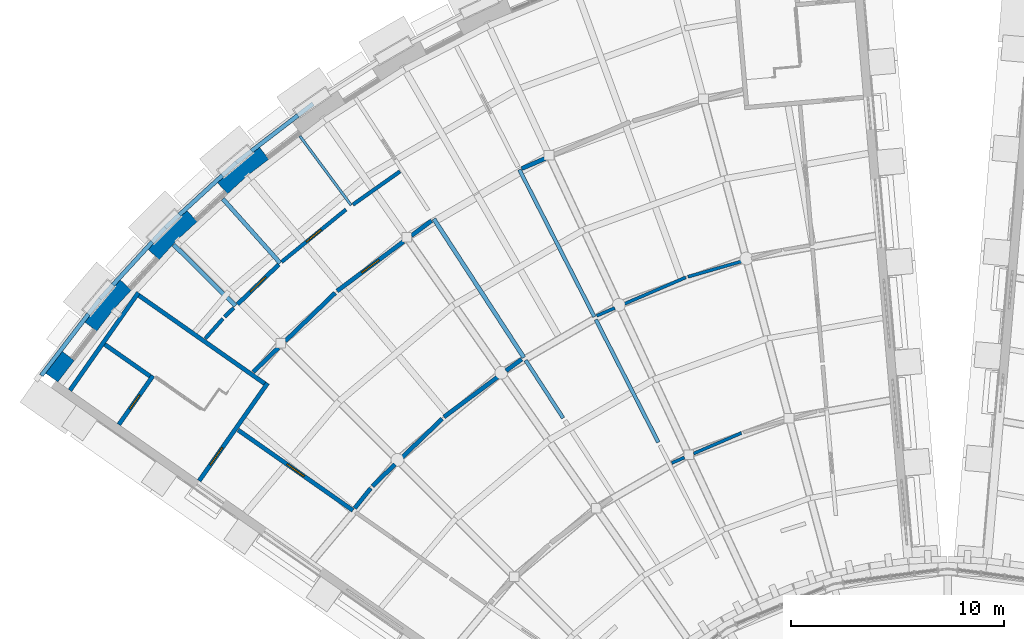
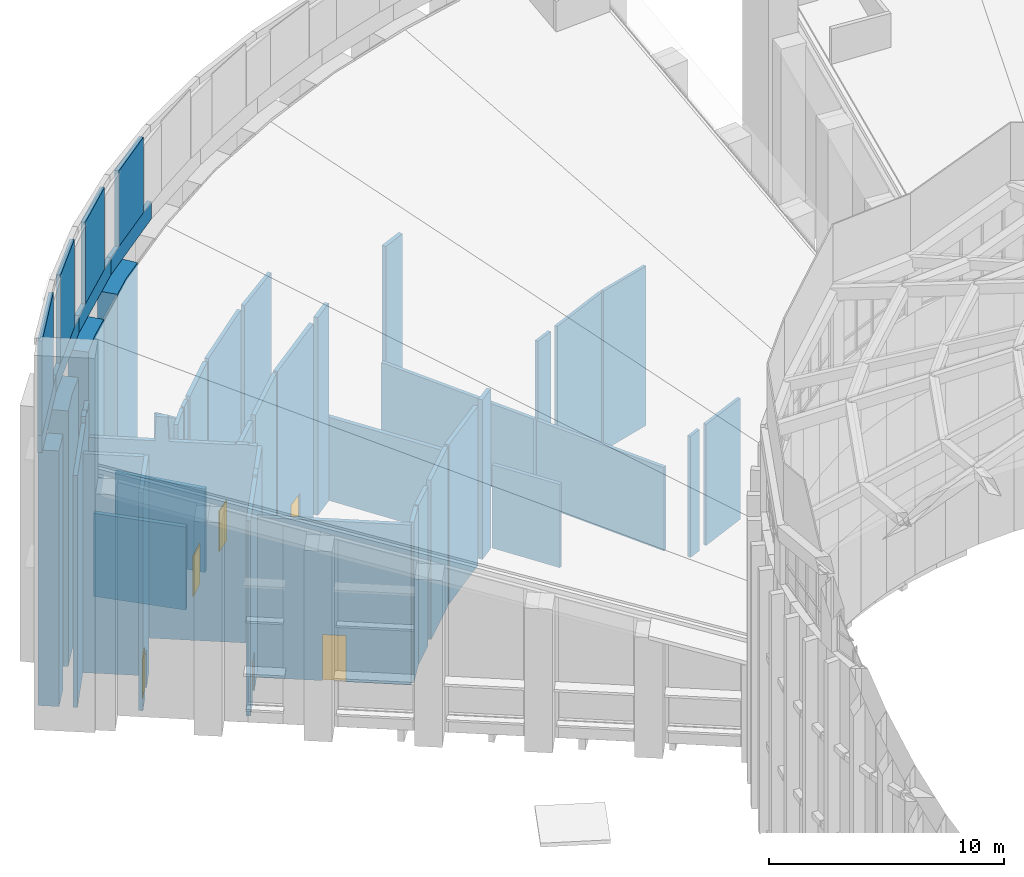
# One storey, part 58 of 82: 45 walls, 6 doors, 6 openings.
"""IFC4 building model written with IfcOpenShell, lengths in metres."""

from ifc_helpers import new_model, si_unit, direction, frame, frame_2d, origin, place, context, subcontext, project, spatial, polyline, rectangle, outline, extrude, material, layer, layer_set, type_object, element, fill, save


model = new_model("IFC4")

# Units and contexts
model_context = context("Model", 3, precision=1e-05, world=origin(), true_north=direction((0.0, 1.0)))
body_context = subcontext(model_context, "Body", "Model", "MODEL_VIEW")
ifc_project = project(units=[si_unit("LENGTHUNIT", "METRE"), si_unit("AREAUNIT", "SQUARE_METRE"), si_unit("VOLUMEUNIT", "CUBIC_METRE"), si_unit("PLANEANGLEUNIT", "RADIAN"), si_unit("MASSUNIT", "GRAM", prefix="KILO")], contexts=[model_context])

# Site, building, storey
site_placement = place(None, origin())
site = spatial("IfcSite", under=ifc_project, at=site_placement, CompositionType="ELEMENT")
building_placement = place(site_placement, origin())
building = spatial("IfcBuilding", under=site, at=building_placement, Name="Volute Hill Aquarium", CompositionType="ELEMENT")
storey_placement = place(building_placement, frame((0.0, 0.0, 13.800048828125)))
storey = spatial("IfcBuildingStorey", under=building, at=storey_placement, Name="L04", CompositionType="ELEMENT", Elevation=13.800048828125)

# Walls
ifc_material_1 = material(Name="Gypsum board on steel studs", Category="steel")
ifc_layer_1 = layer(ifc_material_1, 0.14990234375)
ifc_layer_set_1 = layer_set([ifc_layer_1], Name="Acoustic partition 150")
wall_type_1 = type_object("IfcWallType", Name="Acoustic partition 150", PredefinedType="PARTITIONING", material=ifc_layer_set_1)
wall_1_placement = place(storey_placement, frame((-15.188720703125, 33.117919921875, 0.0), z_axis=(0.0, 0.0, 1.0), x_axis=(0.918224420865, 0.396060491501, 0.0)))
element("IfcWall", 1, at=wall_1_placement, inside=storey, type_object=wall_type_1, Name="pw/S6/L04/026", PredefinedType="PARTITIONING", context=body_context, shape_type="SweptSolid", body=[
    extrude(rectangle(XDim=3.16357421875, YDim=0.14990234375, at=frame_2d((1.581787109375, 0.0))), origin(), (0.0, 0.0, 1.0), 8.294677734375),
])
wall_2_placement = place(storey_placement, frame((-12.18310546875, 34.399658203125, 0.0), z_axis=(0.0, 0.0, 1.0), x_axis=(0.961254429674, 0.275662695033, 0.0)))
element("IfcWall", 2, at=wall_2_placement, inside=storey, type_object=wall_type_1, Name="pw/S6/L04/028", PredefinedType="PARTITIONING", context=body_context, shape_type="SweptSolid", body=[
    extrude(rectangle(XDim=2.636474609375, YDim=0.14990234375, at=frame_2d((1.318359375, 0.0))), origin(), (0.0, 0.0, 1.0), 8.29296875),
])
wall_3_placement = place(storey_placement, frame((-11.915771484375, 26.106689453125, 0.0), z_axis=(0.0, 0.0, 1.0), x_axis=(0.918205503365, 0.396104346847, 0.0)))
element("IfcWall", 3, at=wall_3_placement, inside=storey, type_object=wall_type_1, Name="pw/S6/L04/031", PredefinedType="PARTITIONING", context=body_context, shape_type="SweptSolid", body=[
    extrude(rectangle(XDim=2.439453125, YDim=0.14990234375, at=frame_2d((1.2197265625, 0.0))), origin(), (0.0, 0.0, 1.0), 6.3056640625),
])
wall_4_placement = place(storey_placement, frame((-16.462646484375, 32.568359375, 0.0), z_axis=(0.0, 0.0, 1.0), x_axis=(0.918198003285, 0.396121732253, 0.0)))
element("IfcWall", 4, at=wall_4_placement, inside=storey, type_object=wall_type_1, Name="pw/S6/L04/051", PredefinedType="PARTITIONING", context=body_context, shape_type="SweptSolid", body=[
    extrude(rectangle(XDim=0.922607421875, YDim=0.14990234375, at=frame_2d((0.46142578125, 0.0))), origin(), (0.0, 0.0, 1.0), 8.29833984375),
])
wall_5_placement = place(storey_placement, frame((-12.9443359375, 25.6630859375, 0.0), z_axis=(0.0, 0.0, 1.0), x_axis=(0.918326442211, 0.395823881968, 0.0)))
element("IfcWall", 5, at=wall_5_placement, inside=storey, type_object=wall_type_1, Name="pw/S6/L04/054", PredefinedType="PARTITIONING", context=body_context, shape_type="SweptSolid", body=[
    extrude(rectangle(XDim=0.6494140625, YDim=0.14990234375, at=frame_2d((0.32470703125, 0.0))), origin(), (0.0, 0.0, 1.0), 6.309326171875),
])

# Wall, opening, door
ifc_material_2 = material(Name="Concrete C30/37", Category="concrete")
ifc_layer_2 = layer(ifc_material_2, 0.199951171875)
ifc_layer_set_2 = layer_set([ifc_layer_2], Name="Core wall 200 REI 60")
wall_type_2 = type_object("IfcWallType", Name="Core wall 200 REI 60", PredefinedType="SHEAR", material=ifc_layer_set_2)
wall_6_placement = place(storey_placement, frame((-35.10888671875, 24.82763671875, 0.0), z_axis=(0.0, 0.0, 1.0), x_axis=(0.573599855614, 0.819135645446, 0.0)))
wall_6 = element("IfcWall", 6, at=wall_6_placement, inside=storey, type_object=wall_type_2, Name="wc/S6-B/L04/in", PredefinedType="SHEAR", context=body_context, shape_type="SweptSolid", body=[
    extrude(outline(polyline([(0.0, 0.0), (5.60009765625, 0.0), (5.60009765625, 10.161376953125), (3.853271484375, 10.161376953125), (3.80322265625, 10.239990234375), (3.30322265625, 10.239990234375), (3.25341796875, 10.161376953125), (0.0, 10.161376953125), (0.0, 0.0)])), frame((0.0, 0.10009765625, 0.0), z_axis=(0.0, -1.0, 0.0), x_axis=(1.0, 0.0, 0.0)), (0.0, 0.0, 1.0), 0.199951171875),
])
opening_1_placement = place(wall_6_placement, frame((0.89990234375, 0.0, 0.0)))
opening_1 = element("IfcOpeningElement", 7, at=opening_1_placement, cuts=wall_6, Name="Opening D6.04.BS", PredefinedType="OPENING", context=body_context, shape_type="SweptSolid", body=[
    extrude(rectangle(XDim=1.0, YDim=2.10009765625, at=frame_2d((0.5, 1.050048828125))), frame((0.0, 0.10986328125, 0.0), z_axis=(0.0, -1.0, 0.0), x_axis=(1.0, 0.0, 0.0)), (0.0, 0.0, 1.0), 0.219970703125),
])
ifc_material_3 = material(Name="Timber, fire-rated", Category="wood")
door_type_1 = type_object("IfcDoorType", Name="Door 1000 x 2100 single EI1 30", OperationType="SINGLE_SWING_LEFT", PredefinedType="DOOR", material=ifc_material_3)
door_1_placement = place(opening_1_placement, origin())
door_1 = element("IfcDoor", 8, at=door_1_placement, inside=storey, type_object=door_type_1, Name="d/S6-B/L04/st", OperationType="SINGLE_SWING_RIGHT", OverallHeight=2.10009765625, OverallWidth=1.0, PredefinedType="DOOR", context=body_context, shape_type="SweptSolid", body=[
    extrude(rectangle(XDim=1.0, YDim=2.10009765625, at=frame_2d((0.5, 1.050048828125))), frame((0.0, 0.02490234375, 0.0), z_axis=(0.0, -1.0, 0.0), x_axis=(1.0, 0.0, 0.0)), (0.0, 0.0, 1.0), 0.050048828125),
])
fill(opening_1, door_1)

# Walls
wall_7_placement = place(storey_placement, frame((-32.0361328125, 29.390380859375, 0.0), z_axis=(0.0, 0.0, 1.0), x_axis=(-0.819161821637, 0.573562472597, 0.0)))
element("IfcWall", 9, at=wall_7_placement, inside=storey, type_object=wall_type_2, Name="wc/S6-B/L04/side", PredefinedType="SHEAR", context=body_context, shape_type="SweptSolid", body=[
    extrude(outline(polyline([(0.0, 0.0), (7.199951171875, 0.0), (7.199951171875, 10.283447265625), (4.36767578125, 10.283447265625), (4.317626953125, 11.549560546875), (3.817626953125, 11.549560546875), (3.767578125, 10.283447265625), (0.942626953125, 10.283447265625), (0.892578125, 10.31884765625), (0.392578125, 10.31884765625), (0.342529296875, 10.283447265625), (0.0, 10.283447265625), (0.0, 0.0)])), frame((0.0, 0.10009765625, 0.0), z_axis=(0.0, -1.0, 0.0), x_axis=(1.0, 0.0, 0.0)), (0.0, 0.0, 1.0), 0.199951171875),
])
wall_8_placement = place(storey_placement, frame((-41.17041015625, 29.072021484375, 0.0), z_axis=(0.0, 0.0, 1.0), x_axis=(0.573570601961, 0.819156129542, 0.0)))
element("IfcWall", 10, at=wall_8_placement, inside=storey, type_object=wall_type_2, Name="wc/S6-B/L04/out", PredefinedType="SHEAR", context=body_context, shape_type="SweptSolid", body=[
    extrude(outline(polyline([(0.0, 0.0), (5.599853515625, 0.0), (5.599853515625, 12.06396484375), (4.51806640625, 12.06396484375), (4.468017578125, 12.363525390625), (3.968017578125, 12.363525390625), (3.918212890625, 12.06396484375), (0.0, 12.06396484375), (0.0, 0.0)])), frame((0.0, 0.10009765625, 0.0), z_axis=(0.0, -1.0, 0.0), x_axis=(1.0, 0.0, 0.0)), (0.0, 0.0, 1.0), 0.199951171875),
])
ifc_material_4 = material(Name="Gypsum board on steel studs", Category="steel")
ifc_layer_3 = layer(ifc_material_4, 0.175048828125)
ifc_layer_set_3 = layer_set([ifc_layer_3], Name="Corridor partition 175 EI 60")
wall_type_3 = type_object("IfcWallType", Name="Corridor partition 175 EI 60", PredefinedType="PARTITIONING", material=ifc_layer_set_3)
wall_9_placement = place(storey_placement, frame((-20.089111328125, 39.427001953125, 0.0), z_axis=(0.0, 0.0, 1.0), x_axis=(0.454005059644, -0.890999105397, 0.0)))
element("IfcWall", 11, at=wall_9_placement, inside=storey, type_object=wall_type_3, Name="pw/S6/L04/003", PredefinedType="PARTITIONING", context=body_context, shape_type="SweptSolid", body=[
    extrude(rectangle(XDim=7.75, YDim=0.175048828125, at=frame_2d((3.875, 0.0))), origin(), (0.0, 0.0, 1.0), 4.3349609375),
])
wall_10_placement = place(storey_placement, frame((-13.56884765625, 26.630615234375, 0.0), z_axis=(0.0, 0.0, 1.0), x_axis=(-0.454031618181, 0.890985572101, 0.0)))
element("IfcWall", 12, at=wall_10_placement, inside=storey, type_object=wall_type_3, Name="pw/S6/L04/005", PredefinedType="PARTITIONING", context=body_context, shape_type="SweptSolid", body=[
    extrude(rectangle(XDim=6.461669921875, YDim=0.175048828125, at=frame_2d((3.23095703125, 0.0))), origin(), (0.0, 0.0, 1.0), 4.3349609375),
])

# Wall, opening, door
wall_11_placement = place(storey_placement, frame((-28.222412109375, 37.553955078125, 0.0), z_axis=(0.0, 0.0, 1.0), x_axis=(-0.775402094993, -0.631467806845, 0.0)))
wall_11 = element("IfcWall", 13, at=wall_11_placement, inside=storey, type_object=wall_type_3, Name="pw/S6/L04/017", PredefinedType="PARTITIONING", context=body_context, shape_type="SweptSolid", body=[
    extrude(rectangle(XDim=3.89453125, YDim=0.175048828125, at=frame_2d((1.947265625, 0.0))), origin(), (0.0, 0.0, 1.0), 11.028564453125),
])
opening_2_placement = place(wall_11_placement, frame((1.4970703125, 0.0, 0.0)))
opening_2 = element("IfcOpeningElement", 14, at=opening_2_placement, cuts=wall_11, Name="Opening D6.04.10", PredefinedType="OPENING", context=body_context, shape_type="SweptSolid", body=[
    extrude(rectangle(XDim=0.89990234375, YDim=2.10009765625, at=frame_2d((0.449951171875, 1.050048828125))), frame((0.0, 0.097412109375, 0.0), z_axis=(0.0, -1.0, 0.0), x_axis=(1.0, 0.0, 0.0)), (0.0, 0.0, 1.0), 0.195068359375),
])
ifc_material_5 = material(Name="Timber, fire-rated", Category="wood")
door_type_2 = type_object("IfcDoorType", Name="Door 900 x 2100 wc single EI1 30", OperationType="SINGLE_SWING_LEFT", PredefinedType="DOOR", material=ifc_material_5)
door_2_placement = place(opening_2_placement, origin())
door_2 = element("IfcDoor", 15, at=door_2_placement, inside=storey, type_object=door_type_2, Name="d/S6/L04/10", OperationType="SINGLE_SWING_RIGHT", OverallHeight=2.10009765625, OverallWidth=0.89990234375, PredefinedType="DOOR", context=body_context, shape_type="SweptSolid", body=[
    extrude(rectangle(XDim=0.89990234375, YDim=2.10009765625, at=frame_2d((0.449951171875, 1.050048828125))), frame((0.0, 0.02490234375, 0.0), z_axis=(0.0, -1.0, 0.0), x_axis=(1.0, 0.0, 0.0)), (0.0, 0.0, 1.0), 0.050048828125),
])
fill(opening_2, door_2)

# Walls
wall_12_placement = place(storey_placement, frame((-19.797607421875, 30.485595703125, 0.0), z_axis=(0.0, 0.0, 1.0), x_axis=(0.544664723854, -0.838653884859, 0.0)))
element("IfcWall", 16, at=wall_12_placement, inside=storey, type_object=wall_type_3, Name="pw/S6/L04/020", PredefinedType="PARTITIONING", context=body_context, shape_type="SweptSolid", body=[
    extrude(rectangle(XDim=3.2353515625, YDim=0.175048828125, at=frame_2d((1.61767578125, 0.0))), origin(), (0.0, 0.0, 1.0), 4.3349609375),
])
wall_13_placement = place(storey_placement, frame((-33.91552734375, 32.523681640625, 0.0), z_axis=(0.0, 0.0, 1.0), x_axis=(0.719380474715, 0.694616248441, 0.0)))
element("IfcWall", 17, at=wall_13_placement, inside=storey, type_object=wall_type_3, Name="pw/S6/L04/021", PredefinedType="PARTITIONING", context=body_context, shape_type="SweptSolid", body=[
    extrude(rectangle(XDim=0.601318359375, YDim=0.175048828125, at=frame_2d((0.30078125, 0.0))), origin(), (0.0, 0.0, 1.0), 11.006591796875),
])
wall_14_placement = place(storey_placement, frame((-27.89794921875, 37.78271484375, 0.0), z_axis=(0.0, 0.0, 1.0), x_axis=(0.817117986764, 0.576470463863, 0.0)))
element("IfcWall", 18, at=wall_14_placement, inside=storey, type_object=wall_type_3, Name="pw/S6/L04/025", PredefinedType="PARTITIONING", context=body_context, shape_type="SweptSolid", body=[
    extrude(rectangle(XDim=2.70361328125, YDim=0.175048828125, at=frame_2d((1.351806640625, 0.0))), origin(), (0.0, 0.0, 1.0), 10.99853515625),
])
wall_15_placement = place(storey_placement, frame((-34.82373046875, 31.5009765625, 0.0), z_axis=(0.0, 0.0, 1.0), x_axis=(0.663988099317, 0.747743140366, 0.0)))
element("IfcWall", 19, at=wall_15_placement, inside=storey, type_object=wall_type_3, Name="pw/S6/L04/044", PredefinedType="PARTITIONING", context=body_context, shape_type="SweptSolid", body=[
    extrude(rectangle(XDim=1.25048828125, YDim=0.175048828125, at=frame_2d((0.625244140625, 0.0))), origin(), (0.0, 0.0, 1.0), 11.023681640625),
])
ifc_material_6 = material(Name="Precast concrete C40/50", Category="concrete")
ifc_layer_4 = layer(ifc_material_6, 0.199951171875)
ifc_layer_set_4 = layer_set([ifc_layer_4], Name="Crown screen wall precast concrete C40/50 200")
wall_type_4 = type_object("IfcWallType", Name="Crown screen wall precast concrete C40/50 200", PredefinedType="NOTDEFINED", material=ifc_layer_set_4)
wall_16_placement = place(storey_placement, frame((0.0, 0.0, 14.199951171875)))
element("IfcWall", 20, at=wall_16_placement, inside=storey, type_object=wall_type_4, Name="Crown screen wall CSW S6 7", PredefinedType="NOTDEFINED", context=body_context, shape_type="SweptSolid", body=[
    extrude(outline(polyline([(-30.538818359375, 42.049560546875), (-32.712890625, 40.38134765625), (-32.583984375, 40.22802734375), (-30.423828125, 41.885498046875), (-30.538818359375, 42.049560546875)])), origin(), (0.0, 0.0, 1.0), 3.929931640625),
])
wall_17_placement = place(storey_placement, frame((0.0, 0.0, 14.199951171875)))
element("IfcWall", 21, at=wall_17_placement, inside=storey, type_object=wall_type_4, Name="Crown screen wall CSW S6 8", PredefinedType="NOTDEFINED", context=body_context, shape_type="SweptSolid", body=[
    extrude(outline(polyline([(-34.08740234375, 39.22802734375), (-36.107666015625, 37.376708984375), (-35.96630859375, 37.235107421875), (-33.958740234375, 39.07470703125), (-34.08740234375, 39.22802734375)])), origin(), (0.0, 0.0, 1.0), 4.260009765625),
])
wall_18_placement = place(storey_placement, frame((0.0, 0.0, 14.199951171875)))
element("IfcWall", 22, at=wall_18_placement, inside=storey, type_object=wall_type_4, Name="Crown screen wall CSW S6 9", PredefinedType="NOTDEFINED", context=body_context, shape_type="SweptSolid", body=[
    extrude(outline(polyline([(-37.376708984375, 36.107666015625), (-39.22802734375, 34.08740234375), (-39.07470703125, 33.958740234375), (-37.235107421875, 35.96630859375), (-37.376708984375, 36.107666015625)])), origin(), (0.0, 0.0, 1.0), 4.590087890625),
])
wall_19_placement = place(storey_placement, frame((0.0, 0.0, 14.199951171875)))
element("IfcWall", 23, at=wall_19_placement, inside=storey, type_object=wall_type_4, Name="Crown screen wall CSW S6 10", PredefinedType="NOTDEFINED", context=body_context, shape_type="SweptSolid", body=[
    extrude(outline(polyline([(-40.38134765625, 32.712890625), (-42.596435546875, 29.826171875), (-42.432373046875, 29.71142578125), (-40.22802734375, 32.583984375), (-40.38134765625, 32.712890625)])), origin(), (0.0, 0.0, 1.0), 4.919921875),
])
ifc_material_7 = material(Name="Masonry blockwork", Category="masonry")
ifc_layer_5 = layer(ifc_material_7, 0.199951171875)
ifc_layer_set_5 = layer_set([ifc_layer_5], Name="Fire partition 200 EI 60")
wall_type_5 = type_object("IfcWallType", Name="Fire partition 200 EI 60", PredefinedType="PARTITIONING", material=ifc_layer_set_5)
wall_20_placement = place(storey_placement, frame((-19.87939453125, 30.611572265625, 0.0), z_axis=(0.0, 0.0, 1.0), x_axis=(-0.544649472572, 0.838663789624, 0.0)))
element("IfcWall", 24, at=wall_20_placement, inside=storey, type_object=wall_type_5, Name="pw/S6/L04/002", PredefinedType="PARTITIONING", context=body_context, shape_type="SweptSolid", body=[
    extrude(rectangle(XDim=7.749755859375, YDim=0.199951171875, at=frame_2d((3.875, 0.0))), origin(), (0.0, 0.0, 1.0), 4.3349609375),
])

# Wall, opening, door
wall_21_placement = place(storey_placement, frame((-33.281494140625, 27.21044921875, 0.0), z_axis=(0.0, 0.0, 1.0), x_axis=(0.819156902999, -0.573569497331, 0.0)))
wall_21 = element("IfcWall", 25, at=wall_21_placement, inside=storey, type_object=wall_type_5, Name="pw/S6/L04/006", PredefinedType="PARTITIONING", context=body_context, shape_type="SweptSolid", body=[
    extrude(rectangle(XDim=6.574951171875, YDim=0.199951171875, at=frame_2d((3.28759765625, 0.0))), origin(), (0.0, 0.0, 1.0), 8.32568359375),
])
opening_3_placement = place(wall_21_placement, frame((2.78759765625, 0.0, 0.0)))
opening_3 = element("IfcOpeningElement", 26, at=opening_3_placement, cuts=wall_21, Name="Opening D6.04.06", PredefinedType="OPENING", context=body_context, shape_type="SweptSolid", body=[
    extrude(rectangle(XDim=1.0, YDim=2.39990234375, at=frame_2d((0.5, 1.199951171875))), frame((0.0, 0.10986328125, 0.0), z_axis=(0.0, -1.0, 0.0), x_axis=(1.0, 0.0, 0.0)), (0.0, 0.0, 1.0), 0.219970703125),
])
ifc_material_8 = material(Name="Steel, fire-rated", Category="steel")
door_type_3 = type_object("IfcDoorType", Name="Door 1000 x 2400 laboratory EI1 30", OperationType="SINGLE_SWING_LEFT", PredefinedType="DOOR", material=ifc_material_8)
door_3_placement = place(opening_3_placement, origin())
door_3 = element("IfcDoor", 27, at=door_3_placement, inside=storey, type_object=door_type_3, Name="d/S6/L04/06", OperationType="SINGLE_SWING_RIGHT", OverallHeight=2.39990234375, OverallWidth=1.0, PredefinedType="DOOR", context=body_context, shape_type="SweptSolid", body=[
    extrude(rectangle(XDim=1.0, YDim=2.39990234375, at=frame_2d((0.5, 1.199951171875))), frame((0.0, 0.02490234375, 0.0), z_axis=(0.0, -1.0, 0.0), x_axis=(1.0, 0.0, 0.0)), (0.0, 0.0, 1.0), 0.050048828125),
])
fill(opening_3, door_3)

# Walls
wall_22_placement = place(storey_placement, frame((-33.412109375, 33.041015625, 0.0), z_axis=(0.0, 0.0, 1.0), x_axis=(-0.711026666225, 0.703165044578, 0.0)))
element("IfcWall", 28, at=wall_22_placement, inside=storey, type_object=wall_type_5, Name="pw/S6/L04/014", PredefinedType="PARTITIONING", context=body_context, shape_type="SweptSolid", body=[
    extrude(rectangle(XDim=4.068115234375, YDim=0.199951171875, at=frame_2d((2.0341796875, 0.0))), origin(), (0.0, 0.0, 1.0), 4.324462890625),
])
wall_23_placement = place(storey_placement, frame((-31.306884765625, 35.0419921875, 0.0), z_axis=(0.0, 0.0, 1.0), x_axis=(-0.666273010503, 0.745707902248, 0.0)))
element("IfcWall", 29, at=wall_23_placement, inside=storey, type_object=wall_type_5, Name="pw/S6/L04/016", PredefinedType="PARTITIONING", context=body_context, shape_type="SweptSolid", body=[
    extrude(rectangle(XDim=4.035400390625, YDim=0.199951171875, at=frame_2d((2.017578125, 0.0))), origin(), (0.0, 0.0, 1.0), 4.33984375),
])

# Wall, opening, door
wall_24_placement = place(storey_placement, frame((-28.64013671875, 33.7314453125, 0.0), z_axis=(0.0, 0.0, 1.0), x_axis=(0.802142294319, 0.597132932992, 0.0)))
wall_24 = element("IfcWall", 30, at=wall_24_placement, inside=storey, type_object=wall_type_5, Name="pw/S6/L04/018", PredefinedType="PARTITIONING", context=body_context, shape_type="SweptSolid", body=[
    extrude(rectangle(XDim=3.88818359375, YDim=0.199951171875, at=frame_2d((1.944091796875, 0.0))), origin(), (0.0, 0.0, 1.0), 10.283935546875),
])
opening_4_placement = place(wall_24_placement, frame((1.444091796875, 0.0, 0.0)))
opening_4 = element("IfcOpeningElement", 31, at=opening_4_placement, cuts=wall_24, Name="Opening D6.04.09", PredefinedType="OPENING", context=body_context, shape_type="SweptSolid", body=[
    extrude(rectangle(XDim=1.0, YDim=2.39990234375, at=frame_2d((0.5, 1.199951171875))), frame((0.0, 0.10986328125, 0.0), z_axis=(0.0, -1.0, 0.0), x_axis=(1.0, 0.0, 0.0)), (0.0, 0.0, 1.0), 0.219970703125),
])
door_4_placement = place(opening_4_placement, origin())
door_4 = element("IfcDoor", 32, at=door_4_placement, inside=storey, type_object=door_type_3, Name="d/S6/L04/09", OperationType="SINGLE_SWING_LEFT", OverallHeight=2.39990234375, OverallWidth=1.0, PredefinedType="DOOR", context=body_context, shape_type="SweptSolid", body=[
    extrude(rectangle(XDim=1.0, YDim=2.39990234375, at=frame_2d((0.5, 1.199951171875))), frame((0.0, 0.02490234375, 0.0), z_axis=(0.0, -1.0, 0.0), x_axis=(1.0, 0.0, 0.0)), (0.0, 0.0, 1.0), 0.050048828125),
])
fill(opening_4, door_4)

wall_25_placement = place(storey_placement, frame((-33.310302734375, 33.1083984375, 0.0), z_axis=(0.0, 0.0, 1.0), x_axis=(0.719387385226, 0.694609091488, 0.0)))
wall_25 = element("IfcWall", 33, at=wall_25_placement, inside=storey, type_object=wall_type_5, Name="pw/S6/L04/022", PredefinedType="PARTITIONING", context=body_context, shape_type="SweptSolid", body=[
    extrude(rectangle(XDim=2.68994140625, YDim=0.199951171875, at=frame_2d((1.344970703125, 0.0))), origin(), (0.0, 0.0, 1.0), 11.000244140625),
])
opening_5_placement = place(wall_25_placement, frame((0.844970703125, 0.0, 0.0)))
opening_5 = element("IfcOpeningElement", 34, at=opening_5_placement, cuts=wall_25, Name="Opening D6.04.11", PredefinedType="OPENING", context=body_context, shape_type="SweptSolid", body=[
    extrude(rectangle(XDim=1.0, YDim=2.10009765625, at=frame_2d((0.5, 1.050048828125))), frame((0.0, 0.10986328125, 0.0), z_axis=(0.0, -1.0, 0.0), x_axis=(1.0, 0.0, 0.0)), (0.0, 0.0, 1.0), 0.219970703125),
])
door_5_placement = place(opening_5_placement, origin())
door_5 = element("IfcDoor", 35, at=door_5_placement, inside=storey, type_object=door_type_1, Name="d/S6/L04/11", OperationType="SINGLE_SWING_LEFT", OverallHeight=2.10009765625, OverallWidth=1.0, PredefinedType="DOOR", context=body_context, shape_type="SweptSolid", body=[
    extrude(rectangle(XDim=1.0, YDim=2.10009765625, at=frame_2d((0.5, 1.050048828125))), frame((0.0, 0.02490234375, 0.0), z_axis=(0.0, -1.0, 0.0), x_axis=(1.0, 0.0, 0.0)), (0.0, 0.0, 1.0), 0.050048828125),
])
fill(opening_5, door_5)

# Walls
wall_26_placement = place(storey_placement, frame((-31.069580078125, 31.38525390625, 0.0), z_axis=(0.0, 0.0, 1.0), x_axis=(0.719328913104, 0.694669644344, 0.0)))
element("IfcWall", 36, at=wall_26_placement, inside=storey, type_object=wall_type_5, Name="pw/S6/L04/024", PredefinedType="PARTITIONING", context=body_context, shape_type="SweptSolid", body=[
    extrude(rectangle(XDim=3.247314453125, YDim=0.199951171875, at=frame_2d((1.62353515625, 0.0))), origin(), (0.0, 0.0, 1.0), 10.28125),
])
wall_27_placement = place(storey_placement, frame((-23.6240234375, 27.82373046875, 0.0), z_axis=(0.0, 0.0, 1.0), x_axis=(0.802134350782, 0.597143603579, 0.0)))
element("IfcWall", 37, at=wall_27_placement, inside=storey, type_object=wall_type_5, Name="pw/S6/L04/027", PredefinedType="PARTITIONING", context=body_context, shape_type="SweptSolid", body=[
    extrude(rectangle(XDim=3.163330078125, YDim=0.199951171875, at=frame_2d((1.58154296875, 0.0))), origin(), (0.0, 0.0, 1.0), 8.294677734375),
])
wall_28_placement = place(storey_placement, frame((-25.59619140625, 25.919189453125, 0.0), z_axis=(0.0, 0.0, 1.0), x_axis=(0.719338638239, 0.694659573847, 0.0)))
element("IfcWall", 38, at=wall_28_placement, inside=storey, type_object=wall_type_5, Name="pw/S6/L04/029", PredefinedType="PARTITIONING", context=body_context, shape_type="SweptSolid", body=[
    extrude(rectangle(XDim=2.611572265625, YDim=0.199951171875, at=frame_2d((1.3056640625, 0.0))), origin(), (0.0, 0.0, 1.0), 8.29296875),
])
wall_29_placement = place(storey_placement, frame((-32.577880859375, 29.928466796875, 0.0), z_axis=(0.0, 0.0, 1.0), x_axis=(0.719296786021, 0.69470291033, 0.0)))
element("IfcWall", 39, at=wall_29_placement, inside=storey, type_object=wall_type_5, Name="pw/S6/L04/038", PredefinedType="PARTITIONING", context=body_context, shape_type="SweptSolid", body=[
    extrude(rectangle(XDim=1.64794921875, YDim=0.199951171875, at=frame_2d((0.823974609375, 0.0))), origin(), (0.0, 0.0, 1.0), 10.283447265625),
])
wall_30_placement = place(storey_placement, frame((-26.982177734375, 24.580810546875, 0.0), z_axis=(0.0, 0.0, 1.0), x_axis=(0.719392860406, 0.694603420951, 0.0)))
element("IfcWall", 40, at=wall_30_placement, inside=storey, type_object=wall_type_5, Name="pw/S6/L04/040", PredefinedType="PARTITIONING", context=body_context, shape_type="SweptSolid", body=[
    extrude(rectangle(XDim=1.467529296875, YDim=0.199951171875, at=frame_2d((0.73388671875, 0.0))), origin(), (0.0, 0.0, 1.0), 8.294921875),
])
wall_31_placement = place(storey_placement, frame((-27.814453125, 23.540771484375, 0.0), z_axis=(0.0, 0.0, 1.0), x_axis=(0.624794124977, 0.780789537195, 0.0)))
element("IfcWall", 41, at=wall_31_placement, inside=storey, type_object=wall_type_5, Name="pw/S6/L04/043", PredefinedType="PARTITIONING", context=body_context, shape_type="SweptSolid", body=[
    extrude(rectangle(XDim=1.201904296875, YDim=0.199951171875, at=frame_2d((0.60107421875, 0.0))), origin(), (0.0, 0.0, 1.0), 8.32666015625),
])
wall_32_placement = place(storey_placement, frame((-25.154296875, 36.326416015625, 0.0), z_axis=(0.0, 0.0, 1.0), x_axis=(0.802122965633, 0.59715889678, 0.0)))
element("IfcWall", 42, at=wall_32_placement, inside=storey, type_object=wall_type_5, Name="pw/S6/L04/045", PredefinedType="PARTITIONING", context=body_context, shape_type="SweptSolid", body=[
    extrude(rectangle(XDim=1.18408203125, YDim=0.199951171875, at=frame_2d((0.592041015625, 0.0))), origin(), (0.0, 0.0, 1.0), 10.287353515625),
])
wall_33_placement = place(storey_placement, frame((-19.981201171875, 39.4736328125, 0.0), z_axis=(0.0, 0.0, 1.0), x_axis=(0.918224308599, 0.396060751776, 0.0)))
element("IfcWall", 43, at=wall_33_placement, inside=storey, type_object=wall_type_5, Name="pw/S6/L04/046", PredefinedType="PARTITIONING", context=body_context, shape_type="SweptSolid", body=[
    extrude(rectangle(XDim=1.196533203125, YDim=0.199951171875, at=frame_2d((0.59814453125, 0.0))), origin(), (0.0, 0.0, 1.0), 10.287353515625),
])
wall_34_placement = place(storey_placement, frame((-20.713623046875, 29.990478515625, 0.0), z_axis=(0.0, 0.0, 1.0), x_axis=(0.802248163476, 0.596990690212, 0.0)))
element("IfcWall", 44, at=wall_34_placement, inside=storey, type_object=wall_type_5, Name="pw/S6/L04/052", PredefinedType="PARTITIONING", context=body_context, shape_type="SweptSolid", body=[
    extrude(rectangle(XDim=0.909912109375, YDim=0.199951171875, at=frame_2d((0.455078125, 0.0))), origin(), (0.0, 0.0, 1.0), 8.29833984375),
])
ifc_material_9 = material(Name="Precast concrete C40/50", Category="concrete")
ifc_layer_6 = layer(ifc_material_9, 0.89990234375)
ifc_layer_set_6 = layer_set([ifc_layer_6], Name="Outer pier precast concrete C40/50 900")
wall_type_6 = type_object("IfcWallType", Name="Outer pier precast concrete C40/50 900", PredefinedType="NOTDEFINED", material=ifc_layer_set_6)
wall_35_placement = place(storey_placement, origin())
element("IfcWall", 45, at=wall_35_placement, inside=storey, type_object=wall_type_6, Name="Outer pier OWP S6 L04 8", PredefinedType="NOTDEFINED", context=body_context, shape_type="SweptSolid", body=[
    extrude(outline(polyline([(-31.844970703125, 39.912841796875), (-32.392822265625, 40.626708984375), (-34.384765625, 38.95556640625), (-33.776611328125, 38.2919921875), (-32.84619140625, 39.14453125), (-31.844970703125, 39.912841796875)])), origin(), (0.0, 0.0, 1.0), 13.300048828125),
])
wall_36_placement = place(storey_placement, origin())
element("IfcWall", 46, at=wall_36_placement, inside=storey, type_object=wall_type_6, Name="Outer pier OWP S6 L04 9", PredefinedType="NOTDEFINED", context=body_context, shape_type="SweptSolid", body=[
    extrude(outline(polyline([(-35.202392578125, 36.985595703125), (-35.810546875, 37.649169921875), (-37.649169921875, 35.810546875), (-36.985595703125, 35.202392578125), (-36.1328125, 36.1328125), (-35.202392578125, 36.985595703125)])), origin(), (0.0, 0.0, 1.0), 13.300048828125),
])
wall_37_placement = place(storey_placement, origin())
element("IfcWall", 47, at=wall_37_placement, inside=storey, type_object=wall_type_6, Name="Outer pier OWP S6 L04 10", PredefinedType="NOTDEFINED", context=body_context, shape_type="SweptSolid", body=[
    extrude(outline(polyline([(-38.2919921875, 33.776611328125), (-38.95556640625, 34.384765625), (-40.626953125, 32.392822265625), (-39.912841796875, 31.844970703125), (-39.14453125, 32.84619140625), (-38.2919921875, 33.776611328125)])), origin(), (0.0, 0.0, 1.0), 13.300048828125),
])
wall_38_placement = place(storey_placement, origin())
element("IfcWall", 48, at=wall_38_placement, inside=storey, type_object=wall_type_6, Name="Outer pier OWP S6 L04 11", PredefinedType="NOTDEFINED", context=body_context, shape_type="SweptSolid", body=[
    extrude(outline(polyline([(-40.96826171875, 30.469482421875), (-41.68212890625, 31.017578125), (-42.474365234375, 29.985107421875), (-41.736572265625, 29.46826171875), (-40.96826171875, 30.469482421875)])), origin(), (0.0, 0.0, 1.0), 13.300048828125),
])

# Wall, opening, door
ifc_material_10 = material(Name="Masonry blockwork", Category="masonry")
ifc_layer_7 = layer(ifc_material_10, 0.199951171875)
ifc_layer_set_7 = layer_set([ifc_layer_7], Name="Riser wall 200 EI 60")
wall_type_7 = type_object("IfcWallType", Name="Riser wall 200 EI 60", PredefinedType="SOLIDWALL", material=ifc_layer_set_7)
wall_39_placement = place(storey_placement, frame((-38.876953125, 27.466064453125, 0.0), z_axis=(0.0, 0.0, 1.0), x_axis=(0.573550118428, 0.819170471667, 0.0)))
wall_39 = element("IfcWall", 49, at=wall_39_placement, inside=storey, type_object=wall_type_7, Name="wc/S6-B/L04/front", PredefinedType="SOLIDWALL", context=body_context, shape_type="SweptSolid", body=[
    extrude(rectangle(XDim=2.800048828125, YDim=0.199951171875, at=frame_2d((1.39990234375, 0.0))), origin(), (0.0, 0.0, 1.0), 11.343994140625),
])
opening_6_placement = place(wall_39_placement, frame((0.89990234375, 0.0, 0.0)))
opening_6 = element("IfcOpeningElement", 50, at=opening_6_placement, cuts=wall_39, Name="Opening D6.04.BR", PredefinedType="OPENING", context=body_context, shape_type="SweptSolid", body=[
    extrude(rectangle(XDim=0.800048828125, YDim=2.10009765625, at=frame_2d((0.39990234375, 1.050048828125))), frame((0.0, 0.10986328125, 0.0), z_axis=(0.0, -1.0, 0.0), x_axis=(1.0, 0.0, 0.0)), (0.0, 0.0, 1.0), 0.219970703125),
])
ifc_material_11 = material(Name="Steel, fire-rated", Category="steel")
door_type_4 = type_object("IfcDoorType", Name="Door 800 x 2100 riser EI1 30", OperationType="SINGLE_SWING_LEFT", PredefinedType="DOOR", material=ifc_material_11)
door_6_placement = place(opening_6_placement, origin())
door_6 = element("IfcDoor", 51, at=door_6_placement, inside=storey, type_object=door_type_4, Name="d/S6-B/L04/rs", OperationType="SINGLE_SWING_LEFT", OverallHeight=2.10009765625, OverallWidth=0.800048828125, PredefinedType="DOOR", context=body_context, shape_type="SweptSolid", body=[
    extrude(rectangle(XDim=0.800048828125, YDim=2.10009765625, at=frame_2d((0.39990234375, 1.050048828125))), frame((0.0, 0.02490234375, 0.0), z_axis=(0.0, -1.0, 0.0), x_axis=(1.0, 0.0, 0.0)), (0.0, 0.0, 1.0), 0.050048828125),
])
fill(opening_6, door_6)

# Walls
wall_40_placement = place(storey_placement, frame((-37.41015625, 29.735107421875, 0.0), z_axis=(0.0, 0.0, 1.0), x_axis=(-0.819178980414, 0.573537965655, 0.0)))
element("IfcWall", 52, at=wall_40_placement, inside=storey, type_object=wall_type_7, Name="wc/S6-B/L04/shaft-side", PredefinedType="SOLIDWALL", context=body_context, shape_type="SweptSolid", body=[
    extrude(rectangle(XDim=2.60009765625, YDim=0.199951171875, at=frame_2d((1.300048828125, 0.0))), origin(), (0.0, 0.0, 1.0), 11.392333984375),
])
ifc_material_12 = material(Name="Precast concrete C40/50", Category="concrete")
ifc_layer_8 = layer(ifc_material_12, 0.199951171875)
ifc_layer_set_8 = layer_set([ifc_layer_8], Name="Roof edge parapet precast concrete C40/50 200")
wall_type_8 = type_object("IfcWallType", Name="Roof edge parapet precast concrete C40/50 200", PredefinedType="PARAPET", material=ifc_layer_set_8)
wall_41_placement = place(storey_placement, frame((0.0, 0.0, 13.300048828125)))
element("IfcWall", 53, at=wall_41_placement, inside=storey, type_object=wall_type_8, Name="Roof edge parapet PAR S6 7", PredefinedType="PARAPET", context=body_context, shape_type="SweptSolid", body=[
    extrude(outline(polyline([(-29.71142578125, 42.432373046875), (-29.826171875, 42.59619140625), (-33.42529296875, 39.83447265625), (-33.296630859375, 39.68115234375), (-29.71142578125, 42.432373046875)])), origin(), (0.0, 0.0, 1.0), 0.89990234375),
])
wall_42_placement = place(storey_placement, frame((0.0, 0.0, 13.300048828125)))
element("IfcWall", 54, at=wall_42_placement, inside=storey, type_object=wall_type_8, Name="Roof edge parapet PAR S6 8", PredefinedType="PARAPET", context=body_context, shape_type="SweptSolid", body=[
    extrude(outline(polyline([(-33.296630859375, 39.681396484375), (-33.42529296875, 39.834716796875), (-36.769775390625, 36.77001953125), (-36.62841796875, 36.62841796875), (-33.296630859375, 39.681396484375)])), origin(), (0.0, 0.0, 1.0), 0.89990234375),
])
wall_43_placement = place(storey_placement, frame((0.0, 0.0, 13.300048828125)))
element("IfcWall", 55, at=wall_43_placement, inside=storey, type_object=wall_type_8, Name="Roof edge parapet PAR S6 9", PredefinedType="PARAPET", context=body_context, shape_type="SweptSolid", body=[
    extrude(outline(polyline([(-36.62841796875, 36.62841796875), (-36.77001953125, 36.769775390625), (-39.834716796875, 33.42529296875), (-39.681396484375, 33.296630859375), (-36.62841796875, 36.62841796875)])), origin(), (0.0, 0.0, 1.0), 0.89990234375),
])
wall_44_placement = place(storey_placement, frame((0.0, 0.0, 13.300048828125)))
element("IfcWall", 56, at=wall_44_placement, inside=storey, type_object=wall_type_8, Name="Roof edge parapet PAR S6 10", PredefinedType="PARAPET", context=body_context, shape_type="SweptSolid", body=[
    extrude(outline(polyline([(-42.596435546875, 29.826171875), (-42.432373046875, 29.71142578125), (-39.681396484375, 33.296630859375), (-39.834716796875, 33.42529296875), (-42.596435546875, 29.826171875)])), origin(), (0.0, 0.0, 1.0), 0.89990234375),
])
ifc_material_13 = material(Name="Gypsum board on steel studs, tiled", Category="steel")
ifc_layer_9 = layer(ifc_material_13, 0.125)
ifc_layer_set_9 = layer_set([ifc_layer_9], Name="Wet-area partition 125")
wall_type_9 = type_object("IfcWallType", Name="Wet-area partition 125", PredefinedType="PARTITIONING", material=ifc_layer_set_9)
wall_45_placement = place(storey_placement, frame((-27.978515625, 37.752685546875, 0.0), z_axis=(0.0, 0.0, 1.0), x_axis=(-0.595405362165, 0.803425450621, 0.0)))
element("IfcWall", 57, at=wall_45_placement, inside=storey, type_object=wall_type_9, Name="pw/S6/L04/015", PredefinedType="PARTITIONING", context=body_context, shape_type="SweptSolid", body=[
    extrude(rectangle(XDim=4.03857421875, YDim=0.125, at=frame_2d((2.019287109375, 0.0))), origin(), (0.0, 0.0, 1.0), 4.33251953125),
])

save(model, "model.ifc")
